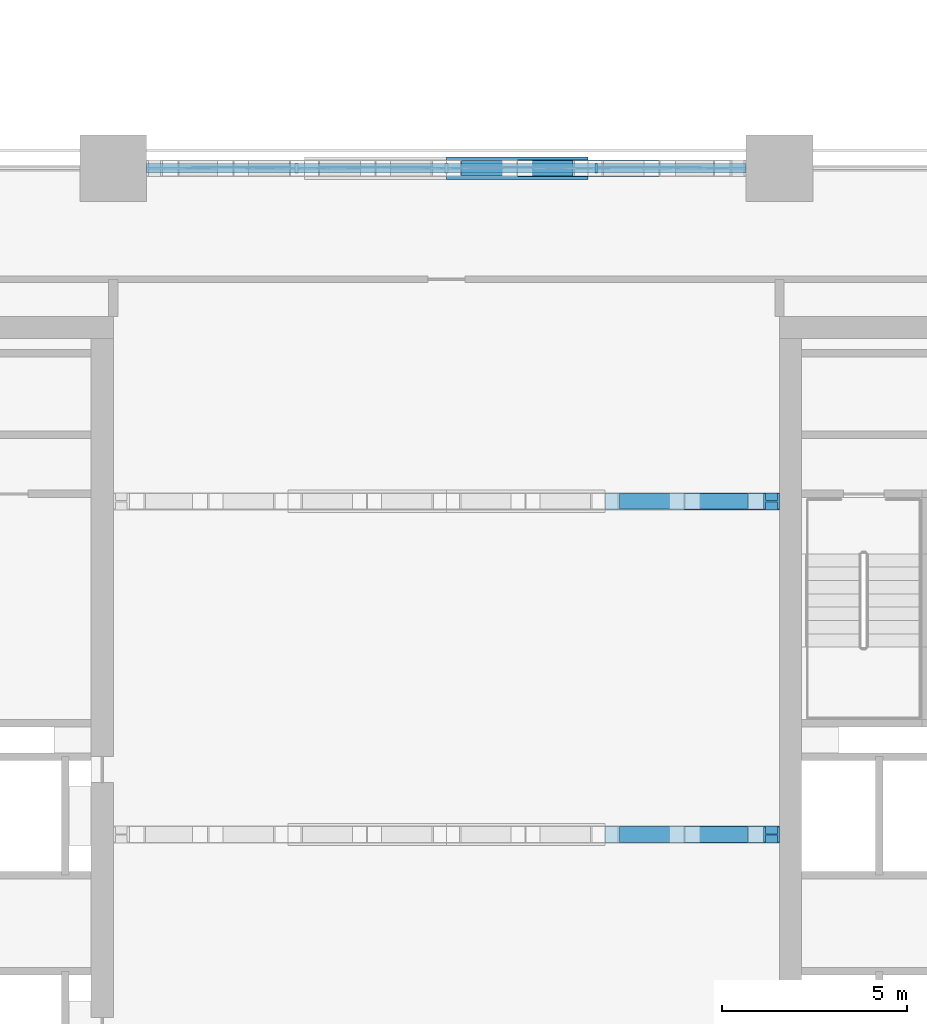
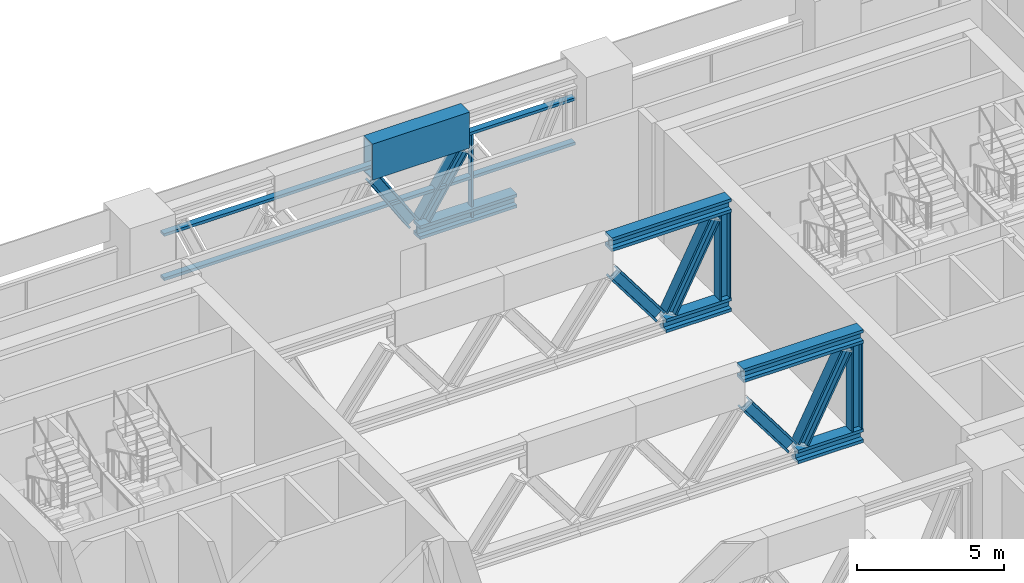
# One storey, part 9 of 35: 17 members, 1 element without a shape of its own.
"""IFC4 building model written with IfcOpenShell, lengths in metres."""

from ifc_helpers import new_model, si_unit, direction, frame, origin, origin_2d, place, context, subcontext, project, spatial, rectangle, hollow_rectangle, i_section, extrude, material, material_profile, profile_set, type_object, element, aggregate, save


model = new_model("IFC4")

# Units and contexts
model_context = context("Model", 3, precision=1e-05, world=origin(), true_north=direction((0.0, 1.0)))
body_context = subcontext(model_context, "Body", "Model", "MODEL_VIEW")
ifc_project = project(units=[si_unit("LENGTHUNIT", "METRE"), si_unit("AREAUNIT", "SQUARE_METRE"), si_unit("VOLUMEUNIT", "CUBIC_METRE"), si_unit("PLANEANGLEUNIT", "RADIAN"), si_unit("MASSUNIT", "GRAM", prefix="KILO")], contexts=[model_context])

# Site, building, storey
site_placement = place(None, origin())
site = spatial("IfcSite", under=ifc_project, at=site_placement, CompositionType="ELEMENT")
building_placement = place(site_placement, origin())
building = spatial("IfcBuilding", under=site, at=building_placement, Name="Tessera Arch", CompositionType="ELEMENT")
storey_placement = place(building_placement, frame((0.0, 0.0, 26.0)))
storey = spatial("IfcBuildingStorey", under=building, at=storey_placement, Name="L04", CompositionType="ELEMENT", Elevation=26.0)

# Curtain wall, members
ifc_material_1 = material(Name="CW4 curtain wall")
curtain_wall_type = type_object("IfcCurtainWallType", Name="CW4 curtain wall", PredefinedType="NOTDEFINED", material=ifc_material_1)
curtain_wall_placement = place(storey_placement, origin())
curtain_wall = element("IfcCurtainWall", 1, at=curtain_wall_placement, inside=storey, type_object=curtain_wall_type, Name="CW4 curtain wall N54.0/2 L04", PredefinedType="NOTDEFINED")
ifc_material_2 = material(Name="Anodised aluminium pale metal", Category="aluminium")
ifc_material_profile_1 = material_profile(ifc_material_2, rectangle(XDim=0.25, YDim=0.080078125, at=origin_2d()), Name="AL 80x250")
ifc_profile_set_1 = profile_set([ifc_material_profile_1], Name="Anodised aluminium pale metal")
member_type_1 = type_object("IfcMemberType", Name="CW4 mullion", PredefinedType="MULLION", material=ifc_profile_set_1)
member_1_placement = place(storey_placement, frame((31.050048828125, 54.0, 0.0), z_axis=(0.0, 0.0, 1.0), x_axis=(0.0, -1.0, 0.0)))
member_1 = element("IfcMember", 2, at=member_1_placement, type_object=member_type_1, Name="CW4 mullion N54.0/2 1", PredefinedType="MULLION", context=body_context, shape_type="SweptSolid", body=[
    extrude(rectangle(XDim=0.25, YDim=0.080078125, at=origin_2d()), origin(), (0.0, 0.0, 1.0), 3.580078125),
])
ifc_material_3 = material(Name="Anodised aluminium pale metal", Category="aluminium")
ifc_material_profile_2 = material_profile(ifc_material_3, rectangle(XDim=0.25, YDim=0.1201171875, at=origin_2d()), Name="AL 250x120")
ifc_profile_set_2 = profile_set([ifc_material_profile_2], Name="Anodised aluminium pale metal")
member_type_2 = type_object("IfcMemberType", Name="CW4 transom", PredefinedType="USERDEFINED", material=ifc_profile_set_2)
member_2_placement = place(storey_placement, frame((35.10009765625, 54.0, 3.639892578125), z_axis=(-1.0, 0.0, 0.0), x_axis=(0.0, -1.0, 0.0)))
member_2 = element("IfcMember", 3, at=member_2_placement, type_object=member_type_2, Name="CW4 transom N54.0/2 1.1", ObjectType="TRANSOM", PredefinedType="USERDEFINED", context=body_context, shape_type="SweptSolid", body=[
    extrude(rectangle(XDim=0.25, YDim=0.1201171875, at=origin_2d()), origin(), (0.0, 0.0, 1.0), 16.2001953125),
])
member_3_placement = place(storey_placement, frame((35.10009765625, 54.0, 1.7900390625), z_axis=(-1.0, 0.0, 0.0), x_axis=(0.0, -1.0, 0.0)))
member_3 = element("IfcMember", 4, at=member_3_placement, type_object=member_type_2, Name="CW4 transom N54.0/2 2.1", ObjectType="TRANSOM", PredefinedType="USERDEFINED", context=body_context, shape_type="SweptSolid", body=[
    extrude(rectangle(XDim=0.25, YDim=0.1201171875, at=origin_2d()), origin(), (0.0, 0.0, 1.0), 16.2001953125),
])
aggregate(curtain_wall, [member_1, member_2, member_3])

# Members
ifc_material_4 = material(Name="Steel A572 Gr50", Category="steel")
ifc_material_profile_3 = material_profile(ifc_material_4, hollow_rectangle(XDim=0.60009765625, YDim=1.5, WallThickness=0.06005859375, at=origin_2d()), Name="BOX 600x1500x60")
ifc_profile_set_3 = profile_set([ifc_material_profile_3], Name="Steel A572 Gr50")
member_type_3 = type_object("IfcMemberType", Name="Transfer truss node girder BOX 600x1500x60", PredefinedType="CHORD", material=ifc_profile_set_3)
member_4_placement = place(storey_placement, frame((27.0, 54.0, 3.949951171875), z_axis=(1.0, 0.0, 0.0), x_axis=(0.0, 1.0, 0.0)))
element("IfcMember", 5, at=member_4_placement, inside=storey, type_object=member_type_3, Name="Transfer truss node girder 3", PredefinedType="CHORD", context=body_context, shape_type="SweptSolid", body=[
    extrude(hollow_rectangle(XDim=0.60009765625, YDim=1.5, WallThickness=0.06005859375, at=origin_2d()), origin(), (0.0, 0.0, 1.0), 3.832763671875),
])
ifc_material_5 = material(Name="Steel A992 Gr50", Category="steel")
ifc_material_profile_4 = material_profile(ifc_material_5, i_section(OverallWidth=0.45458984375, OverallDepth=0.56884765625, WebThickness=0.077880859375, FlangeThickness=0.124755859375, at=origin_2d()), Name="W14x730")
ifc_profile_set_4 = profile_set([ifc_material_profile_4], Name="Steel A992 Gr50")
member_type_4 = type_object("IfcMemberType", Name="Truss chord W14x730", PredefinedType="CHORD", material=ifc_profile_set_4)
member_5_placement = place(storey_placement, frame((31.28271484375, 36.0, 4.41552734375), z_axis=(1.0, 0.0, 0.0), x_axis=(0.0, 1.0, 0.0)))
element("IfcMember", 6, at=member_5_placement, inside=storey, type_object=member_type_4, Name="Transfer truss top chord 4", PredefinedType="CHORD", context=body_context, shape_type="SweptSolid", body=[
    extrude(i_section(OverallWidth=0.45458984375, OverallDepth=0.56884765625, WebThickness=0.077880859375, FlangeThickness=0.124755859375, at=origin_2d()), origin(), (0.0, 0.0, 1.0), 4.71728515625),
])
member_6_placement = place(storey_placement, frame((33.42431640625, 36.0, 0.284423828125), z_axis=(1.0, 0.0, 0.0), x_axis=(0.0, 1.0, 0.0)))
element("IfcMember", 7, at=member_6_placement, inside=storey, type_object=member_type_4, Name="Transfer truss bottom chord 5", PredefinedType="CHORD", context=body_context, shape_type="SweptSolid", body=[
    extrude(i_section(OverallWidth=0.45458984375, OverallDepth=0.56884765625, WebThickness=0.077880859375, FlangeThickness=0.124755859375, at=origin_2d()), origin(), (0.0, 0.0, 1.0), 2.57568359375),
])
member_7_placement = place(storey_placement, frame((31.28271484375, 45.0, 4.41552734375), z_axis=(1.0, 0.0, 0.0), x_axis=(0.0, 1.0, 0.0)))
element("IfcMember", 8, at=member_7_placement, inside=storey, type_object=member_type_4, Name="Transfer truss top chord 4", PredefinedType="CHORD", context=body_context, shape_type="SweptSolid", body=[
    extrude(i_section(OverallWidth=0.45458984375, OverallDepth=0.56884765625, WebThickness=0.077880859375, FlangeThickness=0.124755859375, at=origin_2d()), origin(), (0.0, 0.0, 1.0), 4.71728515625),
])
member_8_placement = place(storey_placement, frame((33.42431640625, 45.0, 0.284423828125), z_axis=(1.0, 0.0, 0.0), x_axis=(0.0, 1.0, 0.0)))
element("IfcMember", 9, at=member_8_placement, inside=storey, type_object=member_type_4, Name="Transfer truss bottom chord 5", PredefinedType="CHORD", context=body_context, shape_type="SweptSolid", body=[
    extrude(i_section(OverallWidth=0.45458984375, OverallDepth=0.56884765625, WebThickness=0.077880859375, FlangeThickness=0.124755859375, at=origin_2d()), origin(), (0.0, 0.0, 1.0), 2.57568359375),
])
member_9_placement = place(storey_placement, frame((28.91650390625, 54.0, 0.284423828125), z_axis=(1.0, 0.0, 0.0), x_axis=(0.0, 1.0, 0.0)))
element("IfcMember", 10, at=member_9_placement, inside=storey, type_object=member_type_4, Name="Transfer truss bottom chord 4", PredefinedType="CHORD", context=body_context, shape_type="SweptSolid", body=[
    extrude(i_section(OverallWidth=0.45458984375, OverallDepth=0.56884765625, WebThickness=0.077880859375, FlangeThickness=0.124755859375, at=origin_2d()), origin(), (0.0, 0.0, 1.0), 3.832763671875),
])
ifc_material_6 = material(Name="Steel A992 Gr50", Category="steel")
ifc_material_profile_5 = material_profile(ifc_material_6, i_section(OverallWidth=0.424072265625, OverallDepth=0.47412109375, WebThickness=0.047607421875, FlangeThickness=0.0771484375, at=origin_2d()), Name="W14x426")
ifc_profile_set_5 = profile_set([ifc_material_profile_5], Name="Steel A992 Gr50")
member_type_5 = type_object("IfcMemberType", Name="Truss diagonal W14x426", PredefinedType="BRACE", material=ifc_profile_set_5)
member_10_placement = place(storey_placement, frame((31.483154296875, 36.0, 3.043212890625), z_axis=(0.600592846889, 0.0, -0.799555021412), x_axis=(0.0, 1.0, 0.0)))
element("IfcMember", 11, at=member_10_placement, inside=storey, type_object=member_type_5, Name="Transfer truss diagonal 7", PredefinedType="BRACE", context=body_context, shape_type="SweptSolid", body=[
    extrude(i_section(OverallWidth=0.424072265625, OverallDepth=0.47412109375, WebThickness=0.047607421875, FlangeThickness=0.0771484375, at=origin_2d()), origin(), (0.0, 0.0, 1.0), 2.8984375),
])
member_11_placement = place(storey_placement, frame((33.643310546875, 36.0, 0.693359375), z_axis=(0.457173271573, 0.0, 0.889377647436), x_axis=(0.0, 1.0, 0.0)))
element("IfcMember", 12, at=member_11_placement, inside=storey, type_object=member_type_5, Name="Transfer truss diagonal 8", PredefinedType="BRACE", context=body_context, shape_type="SweptSolid", body=[
    extrude(i_section(OverallWidth=0.424072265625, OverallDepth=0.47412109375, WebThickness=0.047607421875, FlangeThickness=0.0771484375, at=origin_2d()), origin(), (0.0, 0.0, 1.0), 3.725341796875),
])
member_12_placement = place(storey_placement, frame((31.483154296875, 45.0, 3.043212890625), z_axis=(0.600592846889, 0.0, -0.799555021412), x_axis=(0.0, 1.0, 0.0)))
element("IfcMember", 13, at=member_12_placement, inside=storey, type_object=member_type_5, Name="Transfer truss diagonal 7", PredefinedType="BRACE", context=body_context, shape_type="SweptSolid", body=[
    extrude(i_section(OverallWidth=0.424072265625, OverallDepth=0.47412109375, WebThickness=0.047607421875, FlangeThickness=0.0771484375, at=origin_2d()), origin(), (0.0, 0.0, 1.0), 2.8984375),
])
member_13_placement = place(storey_placement, frame((33.643310546875, 45.0, 0.693359375), z_axis=(0.457173271573, 0.0, 0.889377647436), x_axis=(0.0, 1.0, 0.0)))
element("IfcMember", 14, at=member_13_placement, inside=storey, type_object=member_type_5, Name="Transfer truss diagonal 8", PredefinedType="BRACE", context=body_context, shape_type="SweptSolid", body=[
    extrude(i_section(OverallWidth=0.424072265625, OverallDepth=0.47412109375, WebThickness=0.047607421875, FlangeThickness=0.0771484375, at=origin_2d()), origin(), (0.0, 0.0, 1.0), 3.725341796875),
])
for number, where, z_axis, x_axis, name in (
    (15, (27.20947265625, 54.0, 3.05712890625), (0.538089832254, 0.0, -0.842887496897), (0.0, 1.0, 0.0), "Transfer truss diagonal 5"),
    (16, (29.1259765625, 54.0, 0.711669921875), (0.538089832254, 0.0, 0.842887496897), (0.0, 1.0, 0.0), "Transfer truss diagonal 6"),
):
    element("IfcMember", number, at=place(storey_placement, frame(where, z_axis=z_axis, x_axis=x_axis)), inside=storey, type_object=member_type_5, Name=name, PredefinedType="BRACE", context=body_context, shape_type="SweptSolid", body=[
        extrude(i_section(OverallWidth=0.424072265625, OverallDepth=0.47412109375, WebThickness=0.047607421875, FlangeThickness=0.0771484375, at=origin_2d()), origin(), (0.0, 0.0, 1.0), 2.78271484375),
    ])
ifc_material_7 = material(Name="Steel A992 Gr50", Category="steel")
ifc_material_profile_6 = material_profile(ifc_material_7, i_section(OverallWidth=0.411376953125, OverallDepth=0.434326171875, WebThickness=0.035888671875, FlangeThickness=0.057373046875, at=origin_2d()), Name="W14x311")
ifc_profile_set_6 = profile_set([ifc_material_profile_6], Name="Steel A992 Gr50")
member_type_6 = type_object("IfcMemberType", Name="Truss post W14x311", PredefinedType="POST", material=ifc_profile_set_6)
for number, where, z_axis, x_axis, name in (
    (17, (35.78271484375, 36.0, 0.56884765625), (0.0, 0.0, 1.0), (0.0, 1.0, 0.0), "Transfer truss end post 2"),
    (18, (35.78271484375, 45.0, 0.56884765625), (0.0, 0.0, 1.0), (0.0, 1.0, 0.0), "Transfer truss end post 2"),
):
    element("IfcMember", number, at=place(storey_placement, frame(where, z_axis=z_axis, x_axis=x_axis)), inside=storey, type_object=member_type_6, Name=name, PredefinedType="POST", context=body_context, shape_type="SweptSolid", body=[
        extrude(i_section(OverallWidth=0.411376953125, OverallDepth=0.434326171875, WebThickness=0.035888671875, FlangeThickness=0.057373046875, at=origin_2d()), origin(), (0.0, 0.0, 1.0), 3.562255859375),
    ])

save(model, "model.ifc")
